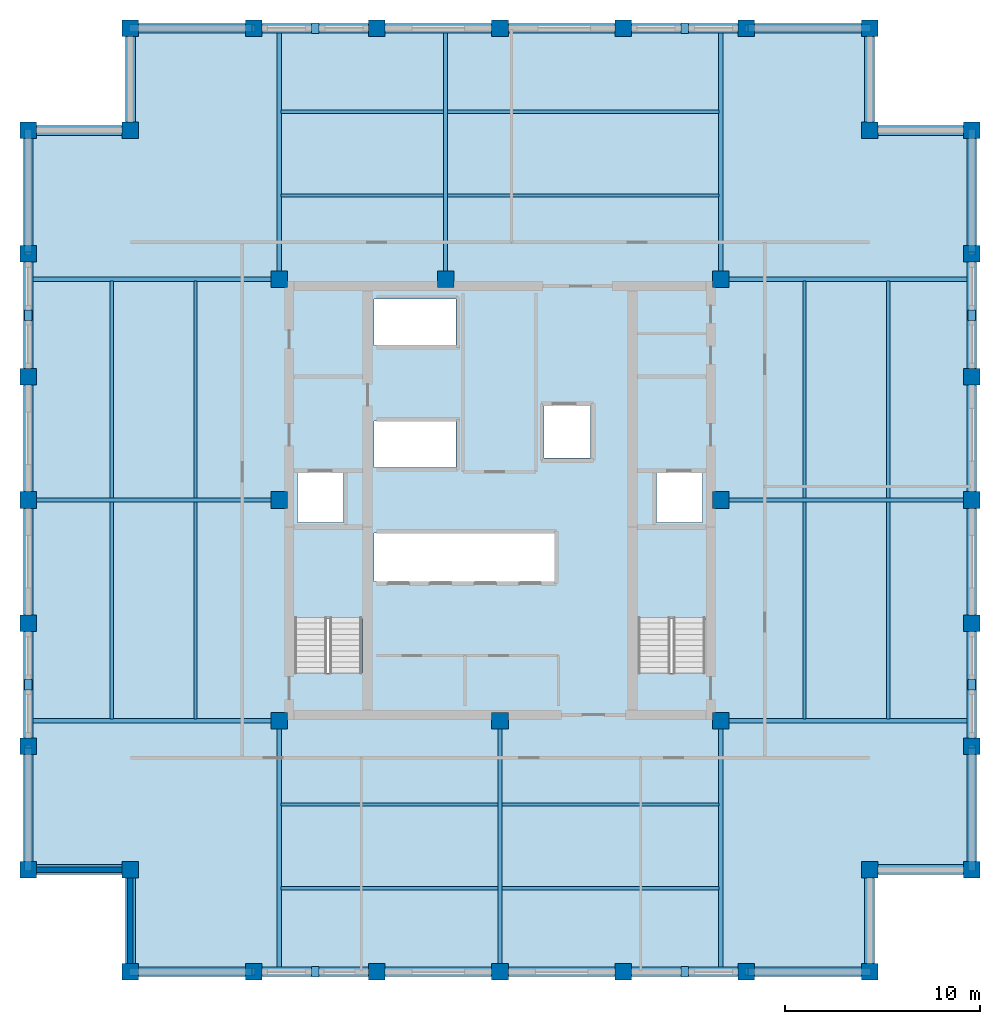
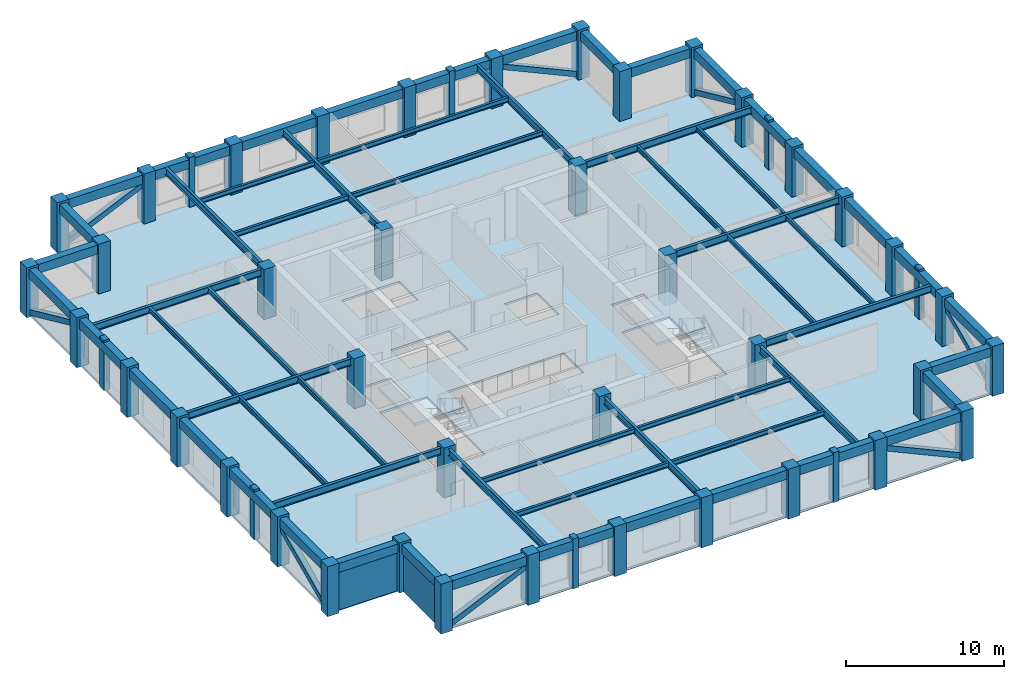
# One storey, part 1 of 6: 60 beams, 40 columns, 16 members, 3 slabs, 2 walls, 2 elements without a shape of their own.
"""IFC4 building model written with IfcOpenShell, lengths in metres."""

from ifc_helpers import new_model, si_unit, direction, frame, frame_2d, origin, origin_2d, place, context, subcontext, project, spatial, polyline, rectangle, hollow_rectangle, i_section, outline, extrude, material, layer, layer_set, material_profile, profile_set, type_object, element, aggregate, save


model = new_model("IFC4")

# Units and contexts
model_context = context("Model", 3, precision=1e-05, world=origin(), true_north=direction((0.0, 1.0)))
body_context = subcontext(model_context, "Body", "Model", "MODEL_VIEW")
ifc_project = project(units=[si_unit("LENGTHUNIT", "METRE"), si_unit("AREAUNIT", "SQUARE_METRE"), si_unit("VOLUMEUNIT", "CUBIC_METRE"), si_unit("PLANEANGLEUNIT", "RADIAN"), si_unit("MASSUNIT", "GRAM", prefix="KILO")], contexts=[model_context])

# Site, building, storey
site_placement = place(None, origin())
site = spatial("IfcSite", under=ifc_project, at=site_placement, CompositionType="ELEMENT")
building_placement = place(site_placement, origin())
building = spatial("IfcBuilding", under=site, at=building_placement, Name="Nhamokura Convention Tower", CompositionType="ELEMENT")
storey_placement = place(building_placement, frame((0.0, 0.0, 233.10009765625)))
storey = spatial("IfcBuildingStorey", under=building, at=storey_placement, Name="L57", CompositionType="ELEMENT", Elevation=233.10009765625)

# Columns
ifc_material_1 = material(Name="Concrete C50/60", Category="concrete")
ifc_material_profile_1 = material_profile(ifc_material_1, rectangle(XDim=0.85009765625, YDim=0.85009765625, at=origin_2d()))
ifc_profile_set_1 = profile_set([ifc_material_profile_1], Name="Concrete C50/60")
column_type = type_object("IfcColumnType", Name="TubeColumn_Z3_850", PredefinedType="COLUMN", material=ifc_profile_set_1)
for number, where, z_axis, x_axis, name in (
    (1, (20.64990234375, 20.64990234375, 0.0), (0.0, 0.0, 1.0), (1.0, 0.0, 0.0), "L57 Core Column CC-SW"),
    (2, (32.0, 20.64990234375, 0.0), (0.0, 0.0, 1.0), (1.0, 0.0, 0.0), "L57 Core Column CC-S"),
    (3, (43.35009765625, 20.64990234375, 0.0), (0.0, 0.0, 1.0), (1.0, 0.0, 0.0), "L57 Core Column CC-SE"),
    (4, (43.35009765625, 32.0, 0.0), (0.0, 0.0, 1.0), (1.0, 0.0, 0.0), "L57 Core Column CC-E"),
    (5, (43.35009765625, 43.35009765625, 0.0), (0.0, 0.0, 1.0), (1.0, 0.0, 0.0), "L57 Core Column CC-NE"),
    (6, (29.199951171875, 43.35009765625, 0.0), (0.0, 0.0, 1.0), (1.0, 0.0, 0.0), "L57 Core Column CC-N"),
    (7, (20.64990234375, 43.35009765625, 0.0), (0.0, 0.0, 1.0), (1.0, 0.0, 0.0), "L57 Core Column CC-NW"),
    (8, (20.64990234375, 32.0, 0.0), (0.0, 0.0, 1.0), (1.0, 0.0, 0.0), "L57 Core Column CC-W"),
    (9, (13.0, 7.75, 0.0), (0.0, 0.0, 1.0), (1.0, 0.0, 0.0), "L57 Perimeter Tube Column SW1"),
    (10, (13.0, 13.0, 0.0), (0.0, 0.0, 1.0), (1.0, 0.0, 0.0), "L57 Perimeter Tube Column SW0"),
    (11, (7.75, 13.0, 0.0), (0.0, 0.0, 1.0), (1.0, 0.0, 0.0), "L57 Perimeter Tube Column SW2"),
    (12, (51.0, 7.75, 0.0), (0.0, 0.0, 1.0), (1.0, 0.0, 0.0), "L57 Perimeter Tube Column SE1"),
    (13, (51.0, 13.0, 0.0), (0.0, 0.0, 1.0), (1.0, 0.0, 0.0), "L57 Perimeter Tube Column SE0"),
    (14, (56.25, 13.0, 0.0), (0.0, 0.0, 1.0), (1.0, 0.0, 0.0), "L57 Perimeter Tube Column SE2"),
    (15, (56.25, 51.0, 0.0), (0.0, 0.0, 1.0), (1.0, 0.0, 0.0), "L57 Perimeter Tube Column NE1"),
    (16, (51.0, 51.0, 0.0), (0.0, 0.0, 1.0), (1.0, 0.0, 0.0), "L57 Perimeter Tube Column NE0"),
    (17, (51.0, 56.25, 0.0), (0.0, 0.0, 1.0), (1.0, 0.0, 0.0), "L57 Perimeter Tube Column NE2"),
    (18, (13.0, 56.25, 0.0), (0.0, 0.0, 1.0), (1.0, 0.0, 0.0), "L57 Perimeter Tube Column NW1"),
    (19, (13.0, 51.0, 0.0), (0.0, 0.0, 1.0), (1.0, 0.0, 0.0), "L57 Perimeter Tube Column NW0"),
    (20, (7.75, 51.0, 0.0), (0.0, 0.0, 1.0), (1.0, 0.0, 0.0), "L57 Perimeter Tube Column NW2"),
    (21, (19.333251953125, 7.75, 0.0), (0.0, 0.0, 1.0), (1.0, 0.0, 0.0), "L57 Perimeter Tube Column S1"),
    (22, (19.333251953125, 56.25, 0.0), (0.0, 0.0, 1.0), (1.0, 0.0, 0.0), "L57 Perimeter Tube Column N1"),
    (23, (7.75, 19.333251953125, 0.0), (0.0, 0.0, 1.0), (1.0, 0.0, 0.0), "L57 Perimeter Tube Column W1"),
    (24, (56.25, 19.333251953125, 0.0), (0.0, 0.0, 1.0), (1.0, 0.0, 0.0), "L57 Perimeter Tube Column E1"),
    (25, (25.666748046875, 7.75, 0.0), (0.0, 0.0, 1.0), (1.0, 0.0, 0.0), "L57 Perimeter Tube Column S2"),
    (26, (25.666748046875, 56.25, 0.0), (0.0, 0.0, 1.0), (1.0, 0.0, 0.0), "L57 Perimeter Tube Column N2"),
    (27, (7.75, 25.666748046875, 0.0), (0.0, 0.0, 1.0), (1.0, 0.0, 0.0), "L57 Perimeter Tube Column W2"),
    (28, (56.25, 25.666748046875, 0.0), (0.0, 0.0, 1.0), (1.0, 0.0, 0.0), "L57 Perimeter Tube Column E2"),
    (29, (32.0, 7.75, 0.0), (0.0, 0.0, 1.0), (1.0, 0.0, 0.0), "L57 Perimeter Tube Column S3"),
    (30, (32.0, 56.25, 0.0), (0.0, 0.0, 1.0), (1.0, 0.0, 0.0), "L57 Perimeter Tube Column N3"),
    (31, (7.75, 32.0, 0.0), (0.0, 0.0, 1.0), (1.0, 0.0, 0.0), "L57 Perimeter Tube Column W3"),
    (32, (56.25, 32.0, 0.0), (0.0, 0.0, 1.0), (1.0, 0.0, 0.0), "L57 Perimeter Tube Column E3"),
    (33, (38.333251953125, 7.75, 0.0), (0.0, 0.0, 1.0), (1.0, 0.0, 0.0), "L57 Perimeter Tube Column S4"),
    (34, (38.333251953125, 56.25, 0.0), (0.0, 0.0, 1.0), (1.0, 0.0, 0.0), "L57 Perimeter Tube Column N4"),
    (35, (7.75, 38.333251953125, 0.0), (0.0, 0.0, 1.0), (1.0, 0.0, 0.0), "L57 Perimeter Tube Column W4"),
    (36, (56.25, 38.333251953125, 0.0), (0.0, 0.0, 1.0), (1.0, 0.0, 0.0), "L57 Perimeter Tube Column E4"),
    (37, (44.666748046875, 7.75, 0.0), (0.0, 0.0, 1.0), (1.0, 0.0, 0.0), "L57 Perimeter Tube Column S5"),
    (38, (44.666748046875, 56.25, 0.0), (0.0, 0.0, 1.0), (1.0, 0.0, 0.0), "L57 Perimeter Tube Column N5"),
    (39, (7.75, 44.666748046875, 0.0), (0.0, 0.0, 1.0), (1.0, 0.0, 0.0), "L57 Perimeter Tube Column W5"),
    (40, (56.25, 44.666748046875, 0.0), (0.0, 0.0, 1.0), (1.0, 0.0, 0.0), "L57 Perimeter Tube Column E5"),
):
    element("IfcColumn", number, at=place(storey_placement, frame(where, z_axis=z_axis, x_axis=x_axis)), inside=storey, type_object=column_type, Name=name, PredefinedType="COLUMN", context=body_context, shape_type="SweptSolid", body=[
        extrude(rectangle(XDim=0.85009765625, YDim=0.85009765625, at=origin_2d()), origin(), (0.0, 0.0, 1.0), 3.849853515625),
    ])

# Members
ifc_material_2 = material(Name="Bronze-pigmented precast concrete C45/55", Category="concrete")
ifc_material_profile_2 = material_profile(ifc_material_2, rectangle(XDim=0.39990234375, YDim=0.550048828125, at=origin_2d()))
ifc_profile_set_2 = profile_set([ifc_material_profile_2], Name="Bronze-pigmented precast concrete C45/55")
member_type_1 = type_object("IfcMemberType", Name="BronzePilaster_550", PredefinedType="USERDEFINED", material=ifc_profile_set_2)
for number, where, z_axis, x_axis, name in (
    (41, (22.5, 7.75, 0.0), (0.0, 0.0, 1.0), (1.0, 0.0, 0.0), "L57 Engaged Frame Pilaster SOUTH 1"),
    (42, (41.5, 7.75, 0.0), (0.0, 0.0, 1.0), (1.0, 0.0, 0.0), "L57 Engaged Frame Pilaster SOUTH 4"),
    (43, (22.5, 56.25, 0.0), (0.0, 0.0, 1.0), (1.0, 0.0, 0.0), "L57 Engaged Frame Pilaster NORTH 1"),
    (44, (41.5, 56.25, 0.0), (0.0, 0.0, 1.0), (1.0, 0.0, 0.0), "L57 Engaged Frame Pilaster NORTH 4"),
    (45, (7.75, 22.5, 0.0), (0.0, 0.0, 1.0), (1.0, 0.0, 0.0), "L57 Engaged Frame Pilaster WEST 1"),
    (46, (7.75, 41.5, 0.0), (0.0, 0.0, 1.0), (1.0, 0.0, 0.0), "L57 Engaged Frame Pilaster WEST 4"),
    (47, (56.25, 22.5, 0.0), (0.0, 0.0, 1.0), (1.0, 0.0, 0.0), "L57 Engaged Frame Pilaster EAST 1"),
    (48, (56.25, 41.5, 0.0), (0.0, 0.0, 1.0), (1.0, 0.0, 0.0), "L57 Engaged Frame Pilaster EAST 4"),
):
    element("IfcMember", number, at=place(storey_placement, frame(where, z_axis=z_axis, x_axis=x_axis)), inside=storey, type_object=member_type_1, Name=name, ObjectType="PILASTER_TRIM", PredefinedType="USERDEFINED", context=body_context, shape_type="SweptSolid", body=[
        extrude(rectangle(XDim=0.39990234375, YDim=0.550048828125, at=origin_2d()), origin(), (0.0, 0.0, 1.0), 3.849853515625),
    ])

# Beams
ifc_material_3 = material(Name="Steel ASTM A992 Gr 50", Category="steel")
ifc_material_profile_3 = material_profile(ifc_material_3, i_section(OverallWidth=0.172119140625, OverallDepth=0.35791015625, WebThickness=0.0078125, FlangeThickness=0.01318359375, at=origin_2d()))
ifc_profile_set_3 = profile_set([ifc_material_profile_3], Name="Steel ASTM A992 Gr 50")
beam_type_1 = type_object("IfcBeamType", Name="FloorJoist_W360X57", PredefinedType="JOIST", material=ifc_profile_set_3)
for number, where, z_axis, x_axis, name in (
    (49, (20.75341796875, 12.050048828125, 3.505859375), (1.0, 0.0, 0.0), (0.0, 1.0, 0.0), "L57 Composite Floor Joist S1A"),
    (50, (32.103515625, 12.050048828125, 3.505859375), (1.0, 0.0, 0.0), (0.0, 1.0, 0.0), "L57 Composite Floor Joist S1B"),
    (51, (20.75341796875, 16.35009765625, 3.505859375), (1.0, 0.0, 0.0), (0.0, 1.0, 0.0), "L57 Composite Floor Joist S2A"),
    (52, (32.103515625, 16.35009765625, 3.505859375), (1.0, 0.0, 0.0), (0.0, 1.0, 0.0), "L57 Composite Floor Joist S2B"),
):
    element("IfcBeam", number, at=place(storey_placement, frame(where, z_axis=z_axis, x_axis=x_axis)), inside=storey, type_object=beam_type_1, Name=name, PredefinedType="JOIST", context=body_context, shape_type="SweptSolid", body=[
        extrude(i_section(OverallWidth=0.172119140625, OverallDepth=0.35791015625, WebThickness=0.0078125, FlangeThickness=0.01318359375, at=origin_2d()), origin(), (0.0, 0.0, 1.0), 11.14306640625),
    ])
beam_1_placement = place(storey_placement, frame((20.75341796875, 47.64990234375, 3.505859375), z_axis=(1.0, 0.0, 0.0), x_axis=(0.0, 1.0, 0.0)))
element("IfcBeam", 53, at=beam_1_placement, inside=storey, type_object=beam_type_1, Name="L57 Composite Floor Joist N1A", PredefinedType="JOIST", context=body_context, shape_type="SweptSolid", body=[
    extrude(i_section(OverallWidth=0.172119140625, OverallDepth=0.35791015625, WebThickness=0.0078125, FlangeThickness=0.01318359375, at=origin_2d()), origin(), (0.0, 0.0, 1.0), 8.343017578125),
])
beam_2_placement = place(storey_placement, frame((29.303466796875, 47.64990234375, 3.505859375), z_axis=(1.0, 0.0, 0.0), x_axis=(0.0, 1.0, 0.0)))
element("IfcBeam", 54, at=beam_2_placement, inside=storey, type_object=beam_type_1, Name="L57 Composite Floor Joist N1B", PredefinedType="JOIST", context=body_context, shape_type="SweptSolid", body=[
    extrude(i_section(OverallWidth=0.172119140625, OverallDepth=0.35791015625, WebThickness=0.0078125, FlangeThickness=0.01318359375, at=origin_2d()), origin(), (0.0, 0.0, 1.0), 13.943115234375),
])
beam_3_placement = place(storey_placement, frame((20.75341796875, 51.949951171875, 3.505859375), z_axis=(1.0, 0.0, 0.0), x_axis=(0.0, 1.0, 0.0)))
element("IfcBeam", 55, at=beam_3_placement, inside=storey, type_object=beam_type_1, Name="L57 Composite Floor Joist N2A", PredefinedType="JOIST", context=body_context, shape_type="SweptSolid", body=[
    extrude(i_section(OverallWidth=0.172119140625, OverallDepth=0.35791015625, WebThickness=0.0078125, FlangeThickness=0.01318359375, at=origin_2d()), origin(), (0.0, 0.0, 1.0), 8.343017578125),
])
beam_4_placement = place(storey_placement, frame((29.303466796875, 51.949951171875, 3.505859375), z_axis=(1.0, 0.0, 0.0), x_axis=(0.0, 1.0, 0.0)))
element("IfcBeam", 56, at=beam_4_placement, inside=storey, type_object=beam_type_1, Name="L57 Composite Floor Joist N2B", PredefinedType="JOIST", context=body_context, shape_type="SweptSolid", body=[
    extrude(i_section(OverallWidth=0.172119140625, OverallDepth=0.35791015625, WebThickness=0.0078125, FlangeThickness=0.01318359375, at=origin_2d()), origin(), (0.0, 0.0, 1.0), 13.943115234375),
])
for number, where, z_axis, x_axis, name in (
    (57, (12.050048828125, 20.75341796875, 3.505859375), (0.0, 1.0, 0.0), (-1.0, 0.0, 0.0), "L57 Composite Floor Joist W1A"),
    (58, (12.050048828125, 32.103515625, 3.505859375), (0.0, 1.0, 0.0), (-1.0, 0.0, 0.0), "L57 Composite Floor Joist W1B"),
    (59, (16.35009765625, 20.75341796875, 3.505859375), (0.0, 1.0, 0.0), (-1.0, 0.0, 0.0), "L57 Composite Floor Joist W2A"),
    (60, (16.35009765625, 32.103515625, 3.505859375), (0.0, 1.0, 0.0), (-1.0, 0.0, 0.0), "L57 Composite Floor Joist W2B"),
    (61, (47.64990234375, 20.75341796875, 3.505859375), (0.0, 1.0, 0.0), (-1.0, 0.0, 0.0), "L57 Composite Floor Joist E1A"),
    (62, (47.64990234375, 32.103515625, 3.505859375), (0.0, 1.0, 0.0), (-1.0, 0.0, 0.0), "L57 Composite Floor Joist E1B"),
    (63, (51.949951171875, 20.75341796875, 3.505859375), (0.0, 1.0, 0.0), (-1.0, 0.0, 0.0), "L57 Composite Floor Joist E2A"),
    (64, (51.949951171875, 32.103515625, 3.505859375), (0.0, 1.0, 0.0), (-1.0, 0.0, 0.0), "L57 Composite Floor Joist E2B"),
):
    element("IfcBeam", number, at=place(storey_placement, frame(where, z_axis=z_axis, x_axis=x_axis)), inside=storey, type_object=beam_type_1, Name=name, PredefinedType="JOIST", context=body_context, shape_type="SweptSolid", body=[
        extrude(i_section(OverallWidth=0.172119140625, OverallDepth=0.35791015625, WebThickness=0.0078125, FlangeThickness=0.01318359375, at=origin_2d()), origin(), (0.0, 0.0, 1.0), 11.14306640625),
    ])
ifc_material_4 = material(Name="Steel ASTM A992 Gr 50", Category="steel")
ifc_material_profile_4 = material_profile(ifc_material_4, i_section(OverallWidth=0.2109375, OverallDepth=0.5390625, WebThickness=0.01171875, FlangeThickness=0.018798828125, at=origin_2d()))
ifc_profile_set_4 = profile_set([ifc_material_profile_4], Name="Steel ASTM A992 Gr 50")
beam_type_2 = type_object("IfcBeamType", Name="PrimaryGirder_W530X109", PredefinedType="BEAM", material=ifc_profile_set_4)
for number, where, z_axis, x_axis, name in (
    (65, (20.64990234375, 7.75, 3.415283203125), (0.0, 1.0, 0.0), (-1.0, 0.0, 0.0), "L57 Primary Floor Girder PG-S1"),
    (66, (32.0, 7.75, 3.415283203125), (0.0, 1.0, 0.0), (-1.0, 0.0, 0.0), "L57 Primary Floor Girder PG-S2"),
    (67, (43.35009765625, 7.75, 3.415283203125), (0.0, 1.0, 0.0), (-1.0, 0.0, 0.0), "L57 Primary Floor Girder PG-S3"),
    (68, (20.64990234375, 43.35009765625, 3.415283203125), (0.0, 1.0, 0.0), (-1.0, 0.0, 0.0), "L57 Primary Floor Girder PG-N1"),
    (69, (29.199951171875, 43.35009765625, 3.415283203125), (0.0, 1.0, 0.0), (-1.0, 0.0, 0.0), "L57 Primary Floor Girder PG-N2"),
    (70, (43.35009765625, 43.35009765625, 3.415283203125), (0.0, 1.0, 0.0), (-1.0, 0.0, 0.0), "L57 Primary Floor Girder PG-N3"),
    (71, (7.75, 20.64990234375, 3.415283203125), (1.0, 0.0, 0.0), (0.0, 1.0, 0.0), "L57 Primary Floor Girder PG-W1"),
    (72, (7.75, 32.0, 3.415283203125), (1.0, 0.0, 0.0), (0.0, 1.0, 0.0), "L57 Primary Floor Girder PG-W2"),
    (73, (7.75, 43.35009765625, 3.415283203125), (1.0, 0.0, 0.0), (0.0, 1.0, 0.0), "L57 Primary Floor Girder PG-W3"),
    (74, (43.35009765625, 20.64990234375, 3.415283203125), (1.0, 0.0, 0.0), (0.0, 1.0, 0.0), "L57 Primary Floor Girder PG-E1"),
    (75, (43.35009765625, 32.0, 3.415283203125), (1.0, 0.0, 0.0), (0.0, 1.0, 0.0), "L57 Primary Floor Girder PG-E2"),
    (76, (43.35009765625, 43.35009765625, 3.415283203125), (1.0, 0.0, 0.0), (0.0, 1.0, 0.0), "L57 Primary Floor Girder PG-E3"),
):
    element("IfcBeam", number, at=place(storey_placement, frame(where, z_axis=z_axis, x_axis=x_axis)), inside=storey, type_object=beam_type_2, Name=name, PredefinedType="BEAM", context=body_context, shape_type="SweptSolid", body=[
        extrude(i_section(OverallWidth=0.2109375, OverallDepth=0.5390625, WebThickness=0.01171875, FlangeThickness=0.018798828125, at=origin_2d()), origin(), (0.0, 0.0, 1.0), 12.89990234375),
    ])

# Members
ifc_material_5 = material(Name="Steel ASTM A572 Gr 50", Category="steel")
ifc_material_profile_5 = material_profile(ifc_material_5, hollow_rectangle(XDim=0.39990234375, YDim=0.39990234375, WallThickness=0.02001953125, at=origin_2d()))
ifc_profile_set_5 = profile_set([ifc_material_profile_5], Name="Steel ASTM A572 Gr 50")
member_type_2 = type_object("IfcMemberType", Name="TubeBrace_HSS400", PredefinedType="BRACE", material=ifc_profile_set_5)
for number, where, z_axis, x_axis, name in (
    (77, (13.0, 7.75, 0.14990234375), (0.910027379678, 0.0, 0.41454814948), (0.0, 1.0, 0.0), "L57 Perimeter Tube Brace SOUTH Bay 0"),
    (78, (51.0, 7.75, 0.14990234375), (-0.910027379678, 0.0, 0.41454814948), (0.0, -1.0, 0.0), "L57 Perimeter Tube Brace SOUTH Bay 5"),
    (79, (13.0, 56.25, 0.14990234375), (0.910027379678, 0.0, 0.41454814948), (0.0, 1.0, 0.0), "L57 Perimeter Tube Brace NORTH Bay 0"),
    (80, (51.0, 56.25, 0.14990234375), (-0.910027379678, 0.0, 0.41454814948), (0.0, -1.0, 0.0), "L57 Perimeter Tube Brace NORTH Bay 5"),
    (81, (7.75, 13.0, 0.14990234375), (0.0, 0.910027379678, 0.41454814948), (-1.0, 0.0, 0.0), "L57 Perimeter Tube Brace WEST Bay 0"),
    (82, (7.75, 51.0, 0.14990234375), (0.0, -0.910027379678, 0.41454814948), (1.0, 0.0, 0.0), "L57 Perimeter Tube Brace WEST Bay 5"),
    (83, (56.25, 13.0, 0.14990234375), (0.0, 0.910027379678, 0.41454814948), (-1.0, 0.0, 0.0), "L57 Perimeter Tube Brace EAST Bay 0"),
    (84, (56.25, 51.0, 0.14990234375), (0.0, -0.910027379678, 0.41454814948), (1.0, 0.0, 0.0), "L57 Perimeter Tube Brace EAST Bay 5"),
):
    element("IfcMember", number, at=place(storey_placement, frame(where, z_axis=z_axis, x_axis=x_axis)), inside=storey, type_object=member_type_2, Name=name, PredefinedType="BRACE", context=body_context, shape_type="SweptSolid", body=[
        extrude(hollow_rectangle(XDim=0.39990234375, YDim=0.39990234375, WallThickness=0.02001953125, at=origin_2d()), origin(), (0.0, 0.0, 1.0), 6.95947265625),
    ])

# Beams
ifc_material_6 = material(Name="Concrete C50/60", Category="concrete")
ifc_material_profile_6 = material_profile(ifc_material_6, rectangle(XDim=0.5, YDim=0.699951171875, at=origin_2d()))
ifc_profile_set_6 = profile_set([ifc_material_profile_6], Name="Concrete C50/60")
beam_type_3 = type_object("IfcBeamType", Name="TubeSpandrel_700", PredefinedType="SPANDREL", material=ifc_profile_set_6)
beam_5_placement = place(storey_placement, frame((13.0, 7.75, 3.3349609375), z_axis=(1.0, 0.0, 0.0), x_axis=(0.0, 1.0, 0.0)))
element("IfcBeam", 85, at=beam_5_placement, inside=storey, type_object=beam_type_3, Name="L57 Perimeter Spandrel SOUTH 1", PredefinedType="SPANDREL", context=body_context, shape_type="SweptSolid", body=[
    extrude(rectangle(XDim=0.5, YDim=0.699951171875, at=origin_2d()), origin(), (0.0, 0.0, 1.0), 6.333251953125),
])
beam_6_placement = place(storey_placement, frame((19.333251953125, 7.75, 3.3349609375), z_axis=(1.0, 0.0, 0.0), x_axis=(0.0, 1.0, 0.0)))
element("IfcBeam", 86, at=beam_6_placement, inside=storey, type_object=beam_type_3, Name="L57 Perimeter Spandrel SOUTH 2", PredefinedType="SPANDREL", context=body_context, shape_type="SweptSolid", body=[
    extrude(rectangle(XDim=0.5, YDim=0.699951171875, at=origin_2d()), origin(), (0.0, 0.0, 1.0), 6.33349609375),
])
for number, where, z_axis, x_axis, name in (
    (87, (25.666748046875, 7.75, 3.3349609375), (1.0, 0.0, 0.0), (0.0, 1.0, 0.0), "L57 Perimeter Spandrel SOUTH 3"),
    (88, (32.0, 7.75, 3.3349609375), (1.0, 0.0, 0.0), (0.0, 1.0, 0.0), "L57 Perimeter Spandrel SOUTH 4"),
):
    element("IfcBeam", number, at=place(storey_placement, frame(where, z_axis=z_axis, x_axis=x_axis)), inside=storey, type_object=beam_type_3, Name=name, PredefinedType="SPANDREL", context=body_context, shape_type="SweptSolid", body=[
        extrude(rectangle(XDim=0.5, YDim=0.699951171875, at=origin_2d()), origin(), (0.0, 0.0, 1.0), 6.333251953125),
    ])
beam_7_placement = place(storey_placement, frame((38.333251953125, 7.75, 3.3349609375), z_axis=(1.0, 0.0, 0.0), x_axis=(0.0, 1.0, 0.0)))
element("IfcBeam", 89, at=beam_7_placement, inside=storey, type_object=beam_type_3, Name="L57 Perimeter Spandrel SOUTH 5", PredefinedType="SPANDREL", context=body_context, shape_type="SweptSolid", body=[
    extrude(rectangle(XDim=0.5, YDim=0.699951171875, at=origin_2d()), origin(), (0.0, 0.0, 1.0), 6.33349609375),
])
for number, where, z_axis, x_axis, name in (
    (90, (44.666748046875, 7.75, 3.3349609375), (1.0, 0.0, 0.0), (0.0, 1.0, 0.0), "L57 Perimeter Spandrel SOUTH 6"),
    (91, (13.0, 56.25, 3.3349609375), (1.0, 0.0, 0.0), (0.0, 1.0, 0.0), "L57 Perimeter Spandrel NORTH 1"),
):
    element("IfcBeam", number, at=place(storey_placement, frame(where, z_axis=z_axis, x_axis=x_axis)), inside=storey, type_object=beam_type_3, Name=name, PredefinedType="SPANDREL", context=body_context, shape_type="SweptSolid", body=[
        extrude(rectangle(XDim=0.5, YDim=0.699951171875, at=origin_2d()), origin(), (0.0, 0.0, 1.0), 6.333251953125),
    ])
beam_8_placement = place(storey_placement, frame((19.333251953125, 56.25, 3.3349609375), z_axis=(1.0, 0.0, 0.0), x_axis=(0.0, 1.0, 0.0)))
element("IfcBeam", 92, at=beam_8_placement, inside=storey, type_object=beam_type_3, Name="L57 Perimeter Spandrel NORTH 2", PredefinedType="SPANDREL", context=body_context, shape_type="SweptSolid", body=[
    extrude(rectangle(XDim=0.5, YDim=0.699951171875, at=origin_2d()), origin(), (0.0, 0.0, 1.0), 6.33349609375),
])
for number, where, z_axis, x_axis, name in (
    (93, (25.666748046875, 56.25, 3.3349609375), (1.0, 0.0, 0.0), (0.0, 1.0, 0.0), "L57 Perimeter Spandrel NORTH 3"),
    (94, (32.0, 56.25, 3.3349609375), (1.0, 0.0, 0.0), (0.0, 1.0, 0.0), "L57 Perimeter Spandrel NORTH 4"),
):
    element("IfcBeam", number, at=place(storey_placement, frame(where, z_axis=z_axis, x_axis=x_axis)), inside=storey, type_object=beam_type_3, Name=name, PredefinedType="SPANDREL", context=body_context, shape_type="SweptSolid", body=[
        extrude(rectangle(XDim=0.5, YDim=0.699951171875, at=origin_2d()), origin(), (0.0, 0.0, 1.0), 6.333251953125),
    ])
beam_9_placement = place(storey_placement, frame((38.333251953125, 56.25, 3.3349609375), z_axis=(1.0, 0.0, 0.0), x_axis=(0.0, 1.0, 0.0)))
element("IfcBeam", 95, at=beam_9_placement, inside=storey, type_object=beam_type_3, Name="L57 Perimeter Spandrel NORTH 5", PredefinedType="SPANDREL", context=body_context, shape_type="SweptSolid", body=[
    extrude(rectangle(XDim=0.5, YDim=0.699951171875, at=origin_2d()), origin(), (0.0, 0.0, 1.0), 6.33349609375),
])
for number, where, z_axis, x_axis, name in (
    (96, (44.666748046875, 56.25, 3.3349609375), (1.0, 0.0, 0.0), (0.0, 1.0, 0.0), "L57 Perimeter Spandrel NORTH 6"),
    (97, (7.75, 13.0, 3.3349609375), (0.0, 1.0, 0.0), (-1.0, 0.0, 0.0), "L57 Perimeter Spandrel WEST 1"),
):
    element("IfcBeam", number, at=place(storey_placement, frame(where, z_axis=z_axis, x_axis=x_axis)), inside=storey, type_object=beam_type_3, Name=name, PredefinedType="SPANDREL", context=body_context, shape_type="SweptSolid", body=[
        extrude(rectangle(XDim=0.5, YDim=0.699951171875, at=origin_2d()), origin(), (0.0, 0.0, 1.0), 6.333251953125),
    ])
beam_10_placement = place(storey_placement, frame((7.75, 19.333251953125, 3.3349609375), z_axis=(0.0, 1.0, 0.0), x_axis=(-1.0, 0.0, 0.0)))
element("IfcBeam", 98, at=beam_10_placement, inside=storey, type_object=beam_type_3, Name="L57 Perimeter Spandrel WEST 2", PredefinedType="SPANDREL", context=body_context, shape_type="SweptSolid", body=[
    extrude(rectangle(XDim=0.5, YDim=0.699951171875, at=origin_2d()), origin(), (0.0, 0.0, 1.0), 6.33349609375),
])
for number, where, z_axis, x_axis, name in (
    (99, (7.75, 25.666748046875, 3.3349609375), (0.0, 1.0, 0.0), (-1.0, 0.0, 0.0), "L57 Perimeter Spandrel WEST 3"),
    (100, (7.75, 32.0, 3.3349609375), (0.0, 1.0, 0.0), (-1.0, 0.0, 0.0), "L57 Perimeter Spandrel WEST 4"),
):
    element("IfcBeam", number, at=place(storey_placement, frame(where, z_axis=z_axis, x_axis=x_axis)), inside=storey, type_object=beam_type_3, Name=name, PredefinedType="SPANDREL", context=body_context, shape_type="SweptSolid", body=[
        extrude(rectangle(XDim=0.5, YDim=0.699951171875, at=origin_2d()), origin(), (0.0, 0.0, 1.0), 6.333251953125),
    ])
beam_11_placement = place(storey_placement, frame((7.75, 38.333251953125, 3.3349609375), z_axis=(0.0, 1.0, 0.0), x_axis=(-1.0, 0.0, 0.0)))
element("IfcBeam", 101, at=beam_11_placement, inside=storey, type_object=beam_type_3, Name="L57 Perimeter Spandrel WEST 5", PredefinedType="SPANDREL", context=body_context, shape_type="SweptSolid", body=[
    extrude(rectangle(XDim=0.5, YDim=0.699951171875, at=origin_2d()), origin(), (0.0, 0.0, 1.0), 6.33349609375),
])
for number, where, z_axis, x_axis, name in (
    (102, (7.75, 44.666748046875, 3.3349609375), (0.0, 1.0, 0.0), (-1.0, 0.0, 0.0), "L57 Perimeter Spandrel WEST 6"),
    (103, (56.25, 13.0, 3.3349609375), (0.0, 1.0, 0.0), (-1.0, 0.0, 0.0), "L57 Perimeter Spandrel EAST 1"),
):
    element("IfcBeam", number, at=place(storey_placement, frame(where, z_axis=z_axis, x_axis=x_axis)), inside=storey, type_object=beam_type_3, Name=name, PredefinedType="SPANDREL", context=body_context, shape_type="SweptSolid", body=[
        extrude(rectangle(XDim=0.5, YDim=0.699951171875, at=origin_2d()), origin(), (0.0, 0.0, 1.0), 6.333251953125),
    ])
beam_12_placement = place(storey_placement, frame((56.25, 19.333251953125, 3.3349609375), z_axis=(0.0, 1.0, 0.0), x_axis=(-1.0, 0.0, 0.0)))
element("IfcBeam", 104, at=beam_12_placement, inside=storey, type_object=beam_type_3, Name="L57 Perimeter Spandrel EAST 2", PredefinedType="SPANDREL", context=body_context, shape_type="SweptSolid", body=[
    extrude(rectangle(XDim=0.5, YDim=0.699951171875, at=origin_2d()), origin(), (0.0, 0.0, 1.0), 6.33349609375),
])
for number, where, z_axis, x_axis, name in (
    (105, (56.25, 25.666748046875, 3.3349609375), (0.0, 1.0, 0.0), (-1.0, 0.0, 0.0), "L57 Perimeter Spandrel EAST 3"),
    (106, (56.25, 32.0, 3.3349609375), (0.0, 1.0, 0.0), (-1.0, 0.0, 0.0), "L57 Perimeter Spandrel EAST 4"),
):
    element("IfcBeam", number, at=place(storey_placement, frame(where, z_axis=z_axis, x_axis=x_axis)), inside=storey, type_object=beam_type_3, Name=name, PredefinedType="SPANDREL", context=body_context, shape_type="SweptSolid", body=[
        extrude(rectangle(XDim=0.5, YDim=0.699951171875, at=origin_2d()), origin(), (0.0, 0.0, 1.0), 6.333251953125),
    ])
beam_13_placement = place(storey_placement, frame((56.25, 38.333251953125, 3.3349609375), z_axis=(0.0, 1.0, 0.0), x_axis=(-1.0, 0.0, 0.0)))
element("IfcBeam", 107, at=beam_13_placement, inside=storey, type_object=beam_type_3, Name="L57 Perimeter Spandrel EAST 5", PredefinedType="SPANDREL", context=body_context, shape_type="SweptSolid", body=[
    extrude(rectangle(XDim=0.5, YDim=0.699951171875, at=origin_2d()), origin(), (0.0, 0.0, 1.0), 6.33349609375),
])
beam_14_placement = place(storey_placement, frame((56.25, 44.666748046875, 3.3349609375), z_axis=(0.0, 1.0, 0.0), x_axis=(-1.0, 0.0, 0.0)))
element("IfcBeam", 108, at=beam_14_placement, inside=storey, type_object=beam_type_3, Name="L57 Perimeter Spandrel EAST 6", PredefinedType="SPANDREL", context=body_context, shape_type="SweptSolid", body=[
    extrude(rectangle(XDim=0.5, YDim=0.699951171875, at=origin_2d()), origin(), (0.0, 0.0, 1.0), 6.333251953125),
])
for number, where, z_axis, x_axis, name in (
    (109, (13.0, 7.75, 3.3349609375), (0.0, 1.0, 0.0), (-1.0, 0.0, 0.0), "L57 Notch Spandrel SW1"),
    (110, (13.0, 13.0, 3.3349609375), (-1.0, 0.0, 0.0), (0.0, -1.0, 0.0), "L57 Notch Spandrel SW2"),
    (111, (51.0, 7.75, 3.3349609375), (0.0, 1.0, 0.0), (-1.0, 0.0, 0.0), "L57 Notch Spandrel SE1"),
    (112, (51.0, 13.0, 3.3349609375), (1.0, 0.0, 0.0), (0.0, 1.0, 0.0), "L57 Notch Spandrel SE2"),
    (113, (56.25, 51.0, 3.3349609375), (-1.0, 0.0, 0.0), (0.0, -1.0, 0.0), "L57 Notch Spandrel NE1"),
    (114, (51.0, 51.0, 3.3349609375), (0.0, 1.0, 0.0), (-1.0, 0.0, 0.0), "L57 Notch Spandrel NE2"),
    (115, (13.0, 56.25, 3.3349609375), (0.0, -1.0, 0.0), (1.0, 0.0, 0.0), "L57 Notch Spandrel NW1"),
    (116, (13.0, 51.0, 3.3349609375), (-1.0, 0.0, 0.0), (0.0, -1.0, 0.0), "L57 Notch Spandrel NW2"),
):
    element("IfcBeam", number, at=place(storey_placement, frame(where, z_axis=z_axis, x_axis=x_axis)), inside=storey, type_object=beam_type_3, Name=name, PredefinedType="SPANDREL", context=body_context, shape_type="SweptSolid", body=[
        extrude(rectangle(XDim=0.5, YDim=0.699951171875, at=origin_2d()), origin(), (0.0, 0.0, 1.0), 5.25),
    ])

# Slab
ifc_material_7 = material(Name="Concrete C40/50", Category="concrete")
ifc_layer_1 = layer(ifc_material_7, 0.1650390625)
ifc_layer_set_1 = layer_set([ifc_layer_1], Name="OfficeFloorSlab_165")
slab_type_1 = type_object("IfcSlabType", Name="OfficeFloorSlab_165", PredefinedType="FLOOR", material=ifc_layer_set_1)
slab_1_placement = place(storey_placement, frame((0.0, 0.0, -0.1650390625)))
element("IfcSlab", 117, at=slab_1_placement, inside=storey, type_object=slab_type_1, Name="L57 Structural Floor Slab", PredefinedType="FLOOR", context=body_context, shape_type="SweptSolid", body=[
    extrude(outline(polyline([(13.0, 7.75), (51.0, 7.75), (51.0, 13.0), (56.25, 13.0), (56.25, 51.0), (51.0, 51.0), (51.0, 56.25), (13.0, 56.25), (13.0, 51.0), (7.75, 51.0), (7.75, 13.0), (13.0, 13.0), (13.0, 7.75)]), holes=[polyline([(24.89990234375, 23.10009765625), (24.89990234375, 30.449951171875), (21.449951171875, 30.449951171875), (21.449951171875, 23.10009765625), (24.89990234375, 23.10009765625)]), polyline([(42.550048828125, 23.10009765625), (42.550048828125, 30.449951171875), (39.10009765625, 30.449951171875), (39.10009765625, 23.10009765625), (42.550048828125, 23.10009765625)]), polyline([(21.60009765625, 30.85009765625), (23.949951171875, 30.85009765625), (23.949951171875, 33.39990234375), (21.60009765625, 33.39990234375), (21.60009765625, 30.85009765625)]), polyline([(40.050048828125, 30.85009765625), (42.39990234375, 30.85009765625), (42.39990234375, 33.39990234375), (40.050048828125, 33.39990234375), (40.050048828125, 30.85009765625)]), polyline([(34.25, 34.14990234375), (36.64990234375, 34.14990234375), (36.64990234375, 36.85009765625), (34.25, 36.85009765625), (34.25, 34.14990234375)]), polyline([(25.52001953125, 27.800048828125), (34.800048828125, 27.800048828125), (34.800048828125, 30.300048828125), (25.52001953125, 30.300048828125), (25.52001953125, 27.800048828125)]), polyline([(25.52001953125, 33.679931640625), (29.75, 33.679931640625), (29.75, 36.050048828125), (25.52001953125, 36.050048828125), (25.52001953125, 33.679931640625)]), polyline([(25.52001953125, 39.949951171875), (29.75, 39.949951171875), (29.75, 42.320068359375), (25.52001953125, 42.320068359375), (25.52001953125, 39.949951171875)])]), origin(), (0.0, 0.0, 1.0), 0.1650390625),
])

# Stair, slab
ifc_material_8 = material(Name="Concrete C40/50", Category="concrete")
stair_type = type_object("IfcStairType", Name="TowerCoreStair_1650", PredefinedType="HALF_TURN_STAIR", material=ifc_material_8)
stair_1_placement = place(storey_placement, origin())
stair_1 = element("IfcStair", 118, at=stair_1_placement, inside=storey, type_object=stair_type, Name="L57 West Core Smokeproof Stair ST-01", PredefinedType="HALF_TURN_STAIR")
ifc_material_9 = material(Name="Concrete C40/50", Category="concrete")
ifc_layer_2 = layer(ifc_material_9, 0.199951171875)
ifc_layer_set_2 = layer_set([ifc_layer_2], Name="StairLandingSlab_200")
slab_type_2 = type_object("IfcSlabType", Name="StairLandingSlab_200", PredefinedType="LANDING", material=ifc_layer_set_2)
slab_2_placement = place(storey_placement, frame((0.0, 0.0, 1.724853515625)))
slab_2 = element("IfcSlab", 119, at=slab_2_placement, type_object=slab_type_2, Name="ST-01 landing 1", PredefinedType="LANDING", context=body_context, shape_type="SweptSolid", body=[
    extrude(outline(polyline([(24.97998046875, 25.8701171875), (24.97998046875, 30.530029296875), (21.3701171875, 30.530029296875), (21.3701171875, 25.8701171875), (24.97998046875, 25.8701171875)])), origin(), (0.0, 0.0, 1.0), 0.199951171875),
])
aggregate(stair_1, [slab_2])

stair_2_placement = place(storey_placement, origin())
stair_2 = element("IfcStair", 120, at=stair_2_placement, inside=storey, type_object=stair_type, Name="L57 East Core Smokeproof Stair ST-02", PredefinedType="HALF_TURN_STAIR")
slab_3_placement = place(storey_placement, frame((0.0, 0.0, 1.724853515625)))
slab_3 = element("IfcSlab", 121, at=slab_3_placement, type_object=slab_type_2, Name="ST-02 landing 1", PredefinedType="LANDING", context=body_context, shape_type="SweptSolid", body=[
    extrude(outline(polyline([(42.6298828125, 25.8701171875), (42.6298828125, 30.530029296875), (39.02001953125, 30.530029296875), (39.02001953125, 25.8701171875), (42.6298828125, 25.8701171875)])), origin(), (0.0, 0.0, 1.0), 0.199951171875),
])
aggregate(stair_2, [slab_3])

# Walls
ifc_material_10 = material(Name="Bronze-pigmented precast concrete C45/55", Category="concrete")
ifc_layer_3 = layer(ifc_material_10, 0.280029296875)
ifc_layer_set_3 = layer_set([ifc_layer_3], Name="BronzePrecastSpandrel_280")
wall_type = type_object("IfcWallType", Name="BronzePrecastSpandrel_280", PredefinedType="USERDEFINED", material=ifc_layer_set_3)
for number, where, z_axis, x_axis, name in (
    (122, (13.0, 7.75, 0.0), (0.0, 0.0, 1.0), (0.0, 1.0, 0.0), "L57 Notched Corner Wall SW1"),
    (123, (13.0, 13.0, 0.0), (0.0, 0.0, 1.0), (-1.0, 0.0, 0.0), "L57 Notched Corner Wall SW2"),
):
    element("IfcWall", number, at=place(storey_placement, frame(where, z_axis=z_axis, x_axis=x_axis)), inside=storey, type_object=wall_type, Name=name, ObjectType="SPANDREL_WALL", PredefinedType="USERDEFINED", context=body_context, shape_type="SweptSolid", body=[
        extrude(rectangle(XDim=5.25, YDim=0.280029296875, at=frame_2d((2.625, 0.0))), origin(), (0.0, 0.0, 1.0), 2.98486328125),
    ])

save(model, "model.ifc")
